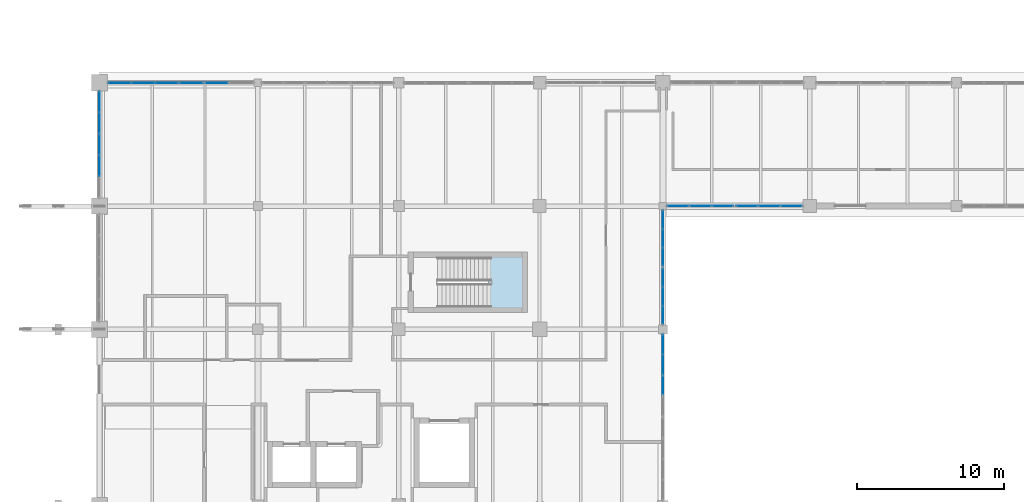
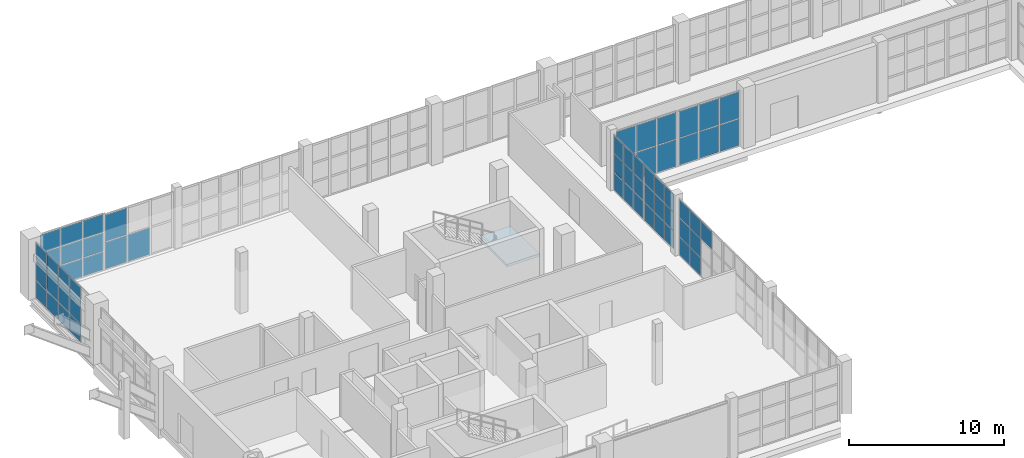
# One storey, part 74 of 121: 61 plates, 1 slab, 9 elements without a shape of their own.
"""IFC4 building model written with IfcOpenShell, lengths in metres."""

from ifc_helpers import new_model, si_unit, direction, frame, origin, origin_2d, place, context, subcontext, project, spatial, polyline, rectangle, outline, extrude, material, layer, layer_set, type_object, element, aggregate, save


model = new_model("IFC4")

# Units and contexts
model_context = context("Model", 3, precision=1e-05, world=origin(), true_north=direction((0.0, 1.0)))
body_context = subcontext(model_context, "Body", "Model", "MODEL_VIEW")
ifc_project = project(units=[si_unit("LENGTHUNIT", "METRE"), si_unit("AREAUNIT", "SQUARE_METRE"), si_unit("VOLUMEUNIT", "CUBIC_METRE"), si_unit("PLANEANGLEUNIT", "RADIAN"), si_unit("MASSUNIT", "GRAM", prefix="KILO")], contexts=[model_context])

# Site, building, storey
site_placement = place(None, origin())
site = spatial("IfcSite", under=ifc_project, at=site_placement, CompositionType="ELEMENT")
building_placement = place(site_placement, origin())
building = spatial("IfcBuilding", under=site, at=building_placement, Name="Zereglee Splitstone Museum", CompositionType="ELEMENT")
storey_placement = place(building_placement, origin())
storey = spatial("IfcBuildingStorey", under=building, at=storey_placement, Name="L00", CompositionType="ELEMENT", Elevation=0.0)

# Curtain wall, plates
ifc_material_1 = material(Name="Triple-glazed low-E argon glass and bronze-anodised aluminium", Category="aluminium")
ifc_layer_1 = layer(ifc_material_1, 0.179931640625)
ifc_layer_set_1 = layer_set([ifc_layer_1], Name="Triple-glazed low-E argon glass and bronze-anodised aluminium")
curtain_wall_type_1 = type_object("IfcCurtainWallType", Name="CW-0514-438", PredefinedType="USERDEFINED", material=ifc_layer_set_1)
curtain_wall_1_placement = place(storey_placement, origin())
curtain_wall_1 = element("IfcCurtainWall", 1, at=curtain_wall_1_placement, inside=storey, type_object=curtain_wall_type_1, Name="Glazed Curtain Wall CW-0514-438 (L00)", ObjectType="GLAZED CURTAIN WALL", PredefinedType="USERDEFINED")
ifc_material_2 = material(Name="Triple low-e argon insulated safety glass", Category="glass")
ifc_layer_2 = layer(ifc_material_2, 0.035888671875)
ifc_layer_set_2 = layer_set([ifc_layer_2], Name="Triple low-e argon insulated safety glass")
plate_type = type_object("IfcPlateType", Name="CWP-01", PredefinedType="CURTAIN_PANEL", material=ifc_layer_set_2)
plate_1_placement = place(storey_placement, frame((17.571044921875, 38.39990234375, 0.06494140625), z_axis=(0.0, 0.0, 1.0), x_axis=(-1.0, 0.0, 0.0)))
plate_1 = element("IfcPlate", 2, at=plate_1_placement, type_object=plate_type, Name="CW-0514-438 panel 2.1", PredefinedType="CURTAIN_PANEL", context=body_context, shape_type="SweptSolid", body=[
    extrude(rectangle(XDim=1.64892578125, YDim=0.035888671875, at=origin_2d()), origin(), (0.0, 0.0, 1.0), 2.092529296875),
])
plate_2_placement = place(storey_placement, frame((15.873291015625, 38.39990234375, 0.06494140625), z_axis=(0.0, 0.0, 1.0), x_axis=(-1.0, 0.0, 0.0)))
plate_2 = element("IfcPlate", 3, at=plate_2_placement, type_object=plate_type, Name="CW-0514-438 panel 3.1", PredefinedType="CURTAIN_PANEL", context=body_context, shape_type="SweptSolid", body=[
    extrude(rectangle(XDim=1.616455078125, YDim=0.035888671875, at=origin_2d()), origin(), (0.0, 0.0, 1.0), 2.092529296875),
])
plate_3_placement = place(storey_placement, frame((15.873291015625, 38.39990234375, 2.22265625), z_axis=(0.0, 0.0, 1.0), x_axis=(-1.0, 0.0, 0.0)))
plate_3 = element("IfcPlate", 4, at=plate_3_placement, type_object=plate_type, Name="CW-0514-438 panel 3.2", PredefinedType="CURTAIN_PANEL", context=body_context, shape_type="SweptSolid", body=[
    extrude(rectangle(XDim=1.616455078125, YDim=0.035888671875, at=origin_2d()), origin(), (0.0, 0.0, 1.0), 2.092529296875),
])
aggregate(curtain_wall_1, [plate_1, plate_2, plate_3])

ifc_layer_3 = layer(ifc_material_1, 0.179931640625)
ifc_layer_set_3 = layer_set([ifc_layer_3], Name="Triple-glazed low-E argon glass and bronze-anodised aluminium")
curtain_wall_type_2 = type_object("IfcCurtainWallType", Name="CW-0484-450", PredefinedType="USERDEFINED", material=ifc_layer_set_3)
curtain_wall_2_placement = place(storey_placement, origin())
curtain_wall_2 = element("IfcCurtainWall", 5, at=curtain_wall_2_placement, inside=storey, type_object=curtain_wall_type_2, Name="Glazed Curtain Wall CW-0484-450 (L00)", ObjectType="GLAZED CURTAIN WALL", PredefinedType="USERDEFINED")
plate_4_placement = place(storey_placement, frame((14.1767578125, 38.39990234375, 0.06494140625), z_axis=(0.0, 0.0, 1.0), x_axis=(-1.0, 0.0, 0.0)))
plate_4 = element("IfcPlate", 6, at=plate_4_placement, type_object=plate_type, Name="CW-0484-450 panel 1.1", PredefinedType="CURTAIN_PANEL", context=body_context, shape_type="SweptSolid", body=[
    extrude(rectangle(XDim=1.5166015625, YDim=0.035888671875, at=origin_2d()), origin(), (0.0, 0.0, 1.0), 1.402587890625),
])
plate_5_placement = place(storey_placement, frame((14.1767578125, 38.39990234375, 1.532470703125), z_axis=(0.0, 0.0, 1.0), x_axis=(-1.0, 0.0, 0.0)))
plate_5 = element("IfcPlate", 7, at=plate_5_placement, type_object=plate_type, Name="CW-0484-450 panel 1.2", PredefinedType="CURTAIN_PANEL", context=body_context, shape_type="SweptSolid", body=[
    extrude(rectangle(XDim=1.5166015625, YDim=0.035888671875, at=origin_2d()), origin(), (0.0, 0.0, 1.0), 1.43505859375),
])
plate_6_placement = place(storey_placement, frame((14.1767578125, 38.39990234375, 3.0322265625), z_axis=(0.0, 0.0, 1.0), x_axis=(-1.0, 0.0, 0.0)))
plate_6 = element("IfcPlate", 8, at=plate_6_placement, type_object=plate_type, Name="CW-0484-450 panel 1.3", PredefinedType="CURTAIN_PANEL", context=body_context, shape_type="SweptSolid", body=[
    extrude(rectangle(XDim=1.5166015625, YDim=0.035888671875, at=origin_2d()), origin(), (0.0, 0.0, 1.0), 1.402587890625),
])
plate_7_placement = place(storey_placement, frame((12.5791015625, 38.39990234375, 0.06494140625), z_axis=(0.0, 0.0, 1.0), x_axis=(-1.0, 0.0, 0.0)))
plate_7 = element("IfcPlate", 9, at=plate_7_placement, type_object=plate_type, Name="CW-0484-450 panel 2.1", PredefinedType="CURTAIN_PANEL", context=body_context, shape_type="SweptSolid", body=[
    extrude(rectangle(XDim=1.549072265625, YDim=0.035888671875, at=origin_2d()), origin(), (0.0, 0.0, 1.0), 1.402587890625),
])
plate_8_placement = place(storey_placement, frame((12.5791015625, 38.39990234375, 1.532470703125), z_axis=(0.0, 0.0, 1.0), x_axis=(-1.0, 0.0, 0.0)))
plate_8 = element("IfcPlate", 10, at=plate_8_placement, type_object=plate_type, Name="CW-0484-450 panel 2.2", PredefinedType="CURTAIN_PANEL", context=body_context, shape_type="SweptSolid", body=[
    extrude(rectangle(XDim=1.549072265625, YDim=0.035888671875, at=origin_2d()), origin(), (0.0, 0.0, 1.0), 1.43505859375),
])
plate_9_placement = place(storey_placement, frame((12.5791015625, 38.39990234375, 3.0322265625), z_axis=(0.0, 0.0, 1.0), x_axis=(-1.0, 0.0, 0.0)))
plate_9 = element("IfcPlate", 11, at=plate_9_placement, type_object=plate_type, Name="CW-0484-450 panel 2.3", PredefinedType="CURTAIN_PANEL", context=body_context, shape_type="SweptSolid", body=[
    extrude(rectangle(XDim=1.549072265625, YDim=0.035888671875, at=origin_2d()), origin(), (0.0, 0.0, 1.0), 1.402587890625),
])
plate_10_placement = place(storey_placement, frame((10.981201171875, 38.39990234375, 0.06494140625), z_axis=(0.0, 0.0, 1.0), x_axis=(-1.0, 0.0, 0.0)))
plate_10 = element("IfcPlate", 12, at=plate_10_placement, type_object=plate_type, Name="CW-0484-450 panel 3.1", PredefinedType="CURTAIN_PANEL", context=body_context, shape_type="SweptSolid", body=[
    extrude(rectangle(XDim=1.5166015625, YDim=0.035888671875, at=origin_2d()), origin(), (0.0, 0.0, 1.0), 1.402587890625),
])
plate_11_placement = place(storey_placement, frame((10.981201171875, 38.39990234375, 1.532470703125), z_axis=(0.0, 0.0, 1.0), x_axis=(-1.0, 0.0, 0.0)))
plate_11 = element("IfcPlate", 13, at=plate_11_placement, type_object=plate_type, Name="CW-0484-450 panel 3.2", PredefinedType="CURTAIN_PANEL", context=body_context, shape_type="SweptSolid", body=[
    extrude(rectangle(XDim=1.5166015625, YDim=0.035888671875, at=origin_2d()), origin(), (0.0, 0.0, 1.0), 1.43505859375),
])
plate_12_placement = place(storey_placement, frame((10.981201171875, 38.39990234375, 3.0322265625), z_axis=(0.0, 0.0, 1.0), x_axis=(-1.0, 0.0, 0.0)))
plate_12 = element("IfcPlate", 14, at=plate_12_placement, type_object=plate_type, Name="CW-0484-450 panel 3.3", PredefinedType="CURTAIN_PANEL", context=body_context, shape_type="SweptSolid", body=[
    extrude(rectangle(XDim=1.5166015625, YDim=0.035888671875, at=origin_2d()), origin(), (0.0, 0.0, 1.0), 1.402587890625),
])
aggregate(curtain_wall_2, [plate_4, plate_5, plate_6, plate_7, plate_8, plate_9, plate_10, plate_11, plate_12])

ifc_layer_4 = layer(ifc_material_1, 0.179931640625)
ifc_layer_set_4 = layer_set([ifc_layer_4], Name="Triple-glazed low-E argon glass and bronze-anodised aluminium")
curtain_wall_type_3 = type_object("IfcCurtainWallType", Name="CW-0728-444", PredefinedType="USERDEFINED", material=ifc_layer_set_4)
curtain_wall_3_placement = place(storey_placement, origin())
curtain_wall_3 = element("IfcCurtainWall", 15, at=curtain_wall_3_placement, inside=storey, type_object=curtain_wall_type_3, Name="Glazed Curtain Wall CW-0728-444 (L00)", ObjectType="GLAZED CURTAIN WALL", PredefinedType="USERDEFINED")
plate_13_placement = place(storey_placement, frame((9.60009765625, 37.097412109375, 0.06494140625), z_axis=(0.0, 0.0, 1.0), x_axis=(0.0, -1.0, 0.0)))
plate_13 = element("IfcPlate", 16, at=plate_13_placement, type_object=plate_type, Name="CW-0728-444 panel 1.1", PredefinedType="CURTAIN_PANEL", context=body_context, shape_type="SweptSolid", body=[
    extrude(rectangle(XDim=1.359375, YDim=0.035888671875, at=origin_2d()), origin(), (0.0, 0.0, 1.0), 1.382568359375),
])
plate_14_placement = place(storey_placement, frame((9.60009765625, 37.097412109375, 1.512451171875), z_axis=(0.0, 0.0, 1.0), x_axis=(0.0, -1.0, 0.0)))
plate_14 = element("IfcPlate", 17, at=plate_14_placement, type_object=plate_type, Name="CW-0728-444 panel 1.2", PredefinedType="CURTAIN_PANEL", context=body_context, shape_type="SweptSolid", body=[
    extrude(rectangle(XDim=1.359375, YDim=0.035888671875, at=origin_2d()), origin(), (0.0, 0.0, 1.0), 1.4150390625),
])
plate_15_placement = place(storey_placement, frame((9.60009765625, 37.097412109375, 2.99267578125), z_axis=(0.0, 0.0, 1.0), x_axis=(0.0, -1.0, 0.0)))
plate_15 = element("IfcPlate", 18, at=plate_15_placement, type_object=plate_type, Name="CW-0728-444 panel 1.3", PredefinedType="CURTAIN_PANEL", context=body_context, shape_type="SweptSolid", body=[
    extrude(rectangle(XDim=1.359375, YDim=0.035888671875, at=origin_2d()), origin(), (0.0, 0.0, 1.0), 1.382568359375),
])
plate_16_placement = place(storey_placement, frame((9.60009765625, 35.65673828125, 0.06494140625), z_axis=(0.0, 0.0, 1.0), x_axis=(0.0, -1.0, 0.0)))
plate_16 = element("IfcPlate", 19, at=plate_16_placement, type_object=plate_type, Name="CW-0728-444 panel 2.1", PredefinedType="CURTAIN_PANEL", context=body_context, shape_type="SweptSolid", body=[
    extrude(rectangle(XDim=1.391845703125, YDim=0.035888671875, at=origin_2d()), origin(), (0.0, 0.0, 1.0), 1.382568359375),
])
plate_17_placement = place(storey_placement, frame((9.60009765625, 35.65673828125, 1.512451171875), z_axis=(0.0, 0.0, 1.0), x_axis=(0.0, -1.0, 0.0)))
plate_17 = element("IfcPlate", 20, at=plate_17_placement, type_object=plate_type, Name="CW-0728-444 panel 2.2", PredefinedType="CURTAIN_PANEL", context=body_context, shape_type="SweptSolid", body=[
    extrude(rectangle(XDim=1.391845703125, YDim=0.035888671875, at=origin_2d()), origin(), (0.0, 0.0, 1.0), 1.4150390625),
])
plate_18_placement = place(storey_placement, frame((9.60009765625, 35.65673828125, 2.99267578125), z_axis=(0.0, 0.0, 1.0), x_axis=(0.0, -1.0, 0.0)))
plate_18 = element("IfcPlate", 21, at=plate_18_placement, type_object=plate_type, Name="CW-0728-444 panel 2.3", PredefinedType="CURTAIN_PANEL", context=body_context, shape_type="SweptSolid", body=[
    extrude(rectangle(XDim=1.391845703125, YDim=0.035888671875, at=origin_2d()), origin(), (0.0, 0.0, 1.0), 1.382568359375),
])
plate_19_placement = place(storey_placement, frame((9.60009765625, 34.199951171875, 0.06494140625), z_axis=(0.0, 0.0, 1.0), x_axis=(0.0, -1.0, 0.0)))
plate_19 = element("IfcPlate", 22, at=plate_19_placement, type_object=plate_type, Name="CW-0728-444 panel 3.1", PredefinedType="CURTAIN_PANEL", context=body_context, shape_type="SweptSolid", body=[
    extrude(rectangle(XDim=1.391845703125, YDim=0.035888671875, at=origin_2d()), origin(), (0.0, 0.0, 1.0), 1.382568359375),
])
plate_20_placement = place(storey_placement, frame((9.60009765625, 34.199951171875, 1.512451171875), z_axis=(0.0, 0.0, 1.0), x_axis=(0.0, -1.0, 0.0)))
plate_20 = element("IfcPlate", 23, at=plate_20_placement, type_object=plate_type, Name="CW-0728-444 panel 3.2", PredefinedType="CURTAIN_PANEL", context=body_context, shape_type="SweptSolid", body=[
    extrude(rectangle(XDim=1.391845703125, YDim=0.035888671875, at=origin_2d()), origin(), (0.0, 0.0, 1.0), 1.4150390625),
])
plate_21_placement = place(storey_placement, frame((9.60009765625, 34.199951171875, 2.99267578125), z_axis=(0.0, 0.0, 1.0), x_axis=(0.0, -1.0, 0.0)))
plate_21 = element("IfcPlate", 24, at=plate_21_placement, type_object=plate_type, Name="CW-0728-444 panel 3.3", PredefinedType="CURTAIN_PANEL", context=body_context, shape_type="SweptSolid", body=[
    extrude(rectangle(XDim=1.391845703125, YDim=0.035888671875, at=origin_2d()), origin(), (0.0, 0.0, 1.0), 1.382568359375),
])
plate_22_placement = place(storey_placement, frame((9.60009765625, 32.7431640625, 0.06494140625), z_axis=(0.0, 0.0, 1.0), x_axis=(0.0, -1.0, 0.0)))
plate_22 = element("IfcPlate", 25, at=plate_22_placement, type_object=plate_type, Name="CW-0728-444 panel 4.1", PredefinedType="CURTAIN_PANEL", context=body_context, shape_type="SweptSolid", body=[
    extrude(rectangle(XDim=1.391845703125, YDim=0.035888671875, at=origin_2d()), origin(), (0.0, 0.0, 1.0), 1.382568359375),
])
plate_23_placement = place(storey_placement, frame((9.60009765625, 32.7431640625, 1.512451171875), z_axis=(0.0, 0.0, 1.0), x_axis=(0.0, -1.0, 0.0)))
plate_23 = element("IfcPlate", 26, at=plate_23_placement, type_object=plate_type, Name="CW-0728-444 panel 4.2", PredefinedType="CURTAIN_PANEL", context=body_context, shape_type="SweptSolid", body=[
    extrude(rectangle(XDim=1.391845703125, YDim=0.035888671875, at=origin_2d()), origin(), (0.0, 0.0, 1.0), 1.4150390625),
])
plate_24_placement = place(storey_placement, frame((9.60009765625, 32.7431640625, 2.99267578125), z_axis=(0.0, 0.0, 1.0), x_axis=(0.0, -1.0, 0.0)))
plate_24 = element("IfcPlate", 27, at=plate_24_placement, type_object=plate_type, Name="CW-0728-444 panel 4.3", PredefinedType="CURTAIN_PANEL", context=body_context, shape_type="SweptSolid", body=[
    extrude(rectangle(XDim=1.391845703125, YDim=0.035888671875, at=origin_2d()), origin(), (0.0, 0.0, 1.0), 1.382568359375),
])
aggregate(curtain_wall_3, [plate_13, plate_14, plate_15, plate_16, plate_17, plate_18, plate_19, plate_20, plate_21, plate_22, plate_23, plate_24])

ifc_layer_5 = layer(ifc_material_1, 0.179931640625)
ifc_layer_set_5 = layer_set([ifc_layer_5], Name="Triple-glazed low-E argon glass and bronze-anodised aluminium")
curtain_wall_type_4 = type_object("IfcCurtainWallType", Name="CW-0563-448", PredefinedType="USERDEFINED", material=ifc_layer_set_5)
curtain_wall_4_placement = place(storey_placement, origin())
curtain_wall_4 = element("IfcCurtainWall", 28, at=curtain_wall_4_placement, inside=storey, type_object=curtain_wall_type_4, Name="Glazed Curtain Wall CW-0563-448 (L00)", ObjectType="GLAZED CURTAIN WALL", PredefinedType="USERDEFINED")
plate_25_placement = place(storey_placement, frame((48.0, 17.775146484375, 3.01904296875), z_axis=(0.0, 0.0, 1.0), x_axis=(0.0, 1.0, 0.0)))
plate_25 = element("IfcPlate", 29, at=plate_25_placement, type_object=plate_type, Name="CW-0563-448 panel 2.3", PredefinedType="CURTAIN_PANEL", context=body_context, shape_type="SweptSolid", body=[
    extrude(rectangle(XDim=1.341796875, YDim=0.035888671875, at=origin_2d()), origin(), (0.0, 0.0, 1.0), 1.395751953125),
])
plate_26_placement = place(storey_placement, frame((48.0, 19.181884765625, 0.06494140625), z_axis=(0.0, 0.0, 1.0), x_axis=(0.0, 1.0, 0.0)))
plate_26 = element("IfcPlate", 30, at=plate_26_placement, type_object=plate_type, Name="CW-0563-448 panel 3.1", PredefinedType="CURTAIN_PANEL", context=body_context, shape_type="SweptSolid", body=[
    extrude(rectangle(XDim=1.341796875, YDim=0.035888671875, at=origin_2d()), origin(), (0.0, 0.0, 1.0), 1.395751953125),
])
plate_27_placement = place(storey_placement, frame((48.0, 19.181884765625, 1.52587890625), z_axis=(0.0, 0.0, 1.0), x_axis=(0.0, 1.0, 0.0)))
plate_27 = element("IfcPlate", 31, at=plate_27_placement, type_object=plate_type, Name="CW-0563-448 panel 3.2", PredefinedType="CURTAIN_PANEL", context=body_context, shape_type="SweptSolid", body=[
    extrude(rectangle(XDim=1.341796875, YDim=0.035888671875, at=origin_2d()), origin(), (0.0, 0.0, 1.0), 1.428466796875),
])
plate_28_placement = place(storey_placement, frame((48.0, 19.181884765625, 3.01904296875), z_axis=(0.0, 0.0, 1.0), x_axis=(0.0, 1.0, 0.0)))
plate_28 = element("IfcPlate", 32, at=plate_28_placement, type_object=plate_type, Name="CW-0563-448 panel 3.3", PredefinedType="CURTAIN_PANEL", context=body_context, shape_type="SweptSolid", body=[
    extrude(rectangle(XDim=1.341796875, YDim=0.035888671875, at=origin_2d()), origin(), (0.0, 0.0, 1.0), 1.395751953125),
])
plate_29_placement = place(storey_placement, frame((48.0, 20.572265625, 0.06494140625), z_axis=(0.0, 0.0, 1.0), x_axis=(0.0, 1.0, 0.0)))
plate_29 = element("IfcPlate", 33, at=plate_29_placement, type_object=plate_type, Name="CW-0563-448 panel 4.1", PredefinedType="CURTAIN_PANEL", context=body_context, shape_type="SweptSolid", body=[
    extrude(rectangle(XDim=1.309326171875, YDim=0.035888671875, at=origin_2d()), origin(), (0.0, 0.0, 1.0), 1.395751953125),
])
plate_30_placement = place(storey_placement, frame((48.0, 20.572265625, 1.52587890625), z_axis=(0.0, 0.0, 1.0), x_axis=(0.0, 1.0, 0.0)))
plate_30 = element("IfcPlate", 34, at=plate_30_placement, type_object=plate_type, Name="CW-0563-448 panel 4.2", PredefinedType="CURTAIN_PANEL", context=body_context, shape_type="SweptSolid", body=[
    extrude(rectangle(XDim=1.309326171875, YDim=0.035888671875, at=origin_2d()), origin(), (0.0, 0.0, 1.0), 1.428466796875),
])
plate_31_placement = place(storey_placement, frame((48.0, 20.572265625, 3.01904296875), z_axis=(0.0, 0.0, 1.0), x_axis=(0.0, 1.0, 0.0)))
plate_31 = element("IfcPlate", 35, at=plate_31_placement, type_object=plate_type, Name="CW-0563-448 panel 4.3", PredefinedType="CURTAIN_PANEL", context=body_context, shape_type="SweptSolid", body=[
    extrude(rectangle(XDim=1.309326171875, YDim=0.035888671875, at=origin_2d()), origin(), (0.0, 0.0, 1.0), 1.395751953125),
])
aggregate(curtain_wall_4, [plate_25, plate_26, plate_27, plate_28, plate_29, plate_30, plate_31])

ifc_layer_6 = layer(ifc_material_1, 0.179931640625)
ifc_layer_set_6 = layer_set([ifc_layer_6], Name="Triple-glazed low-E argon glass and bronze-anodised aluminium")
curtain_wall_type_5 = type_object("IfcCurtainWallType", Name="CW-0388-444", PredefinedType="USERDEFINED", material=ifc_layer_set_6)
curtain_wall_5_placement = place(storey_placement, origin())
curtain_wall_5 = element("IfcCurtainWall", 36, at=curtain_wall_5_placement, inside=storey, type_object=curtain_wall_type_5, Name="Glazed Curtain Wall CW-0388-444 (L00)", ObjectType="GLAZED CURTAIN WALL", PredefinedType="USERDEFINED")
plate_32_placement = place(storey_placement, frame((48.0, 22.5703125, 0.06494140625), z_axis=(0.0, 0.0, 1.0), x_axis=(0.0, 1.0, 0.0)))
plate_32 = element("IfcPlate", 37, at=plate_32_placement, type_object=plate_type, Name="CW-0388-444 panel 1.1", PredefinedType="CURTAIN_PANEL", context=body_context, shape_type="SweptSolid", body=[
    extrude(rectangle(XDim=1.19482421875, YDim=0.035888671875, at=origin_2d()), origin(), (0.0, 0.0, 1.0), 1.382568359375),
])
plate_33_placement = place(storey_placement, frame((48.0, 22.5703125, 1.512451171875), z_axis=(0.0, 0.0, 1.0), x_axis=(0.0, 1.0, 0.0)))
plate_33 = element("IfcPlate", 38, at=plate_33_placement, type_object=plate_type, Name="CW-0388-444 panel 1.2", PredefinedType="CURTAIN_PANEL", context=body_context, shape_type="SweptSolid", body=[
    extrude(rectangle(XDim=1.19482421875, YDim=0.035888671875, at=origin_2d()), origin(), (0.0, 0.0, 1.0), 1.4150390625),
])
plate_34_placement = place(storey_placement, frame((48.0, 22.5703125, 2.99267578125), z_axis=(0.0, 0.0, 1.0), x_axis=(0.0, 1.0, 0.0)))
plate_34 = element("IfcPlate", 39, at=plate_34_placement, type_object=plate_type, Name="CW-0388-444 panel 1.3", PredefinedType="CURTAIN_PANEL", context=body_context, shape_type="SweptSolid", body=[
    extrude(rectangle(XDim=1.19482421875, YDim=0.035888671875, at=origin_2d()), origin(), (0.0, 0.0, 1.0), 1.382568359375),
])
plate_35_placement = place(storey_placement, frame((48.0, 23.846435546875, 0.06494140625), z_axis=(0.0, 0.0, 1.0), x_axis=(0.0, 1.0, 0.0)))
plate_35 = element("IfcPlate", 40, at=plate_35_placement, type_object=plate_type, Name="CW-0388-444 panel 2.1", PredefinedType="CURTAIN_PANEL", context=body_context, shape_type="SweptSolid", body=[
    extrude(rectangle(XDim=1.227294921875, YDim=0.035888671875, at=origin_2d()), origin(), (0.0, 0.0, 1.0), 1.382568359375),
])
plate_36_placement = place(storey_placement, frame((48.0, 23.846435546875, 1.512451171875), z_axis=(0.0, 0.0, 1.0), x_axis=(0.0, 1.0, 0.0)))
plate_36 = element("IfcPlate", 41, at=plate_36_placement, type_object=plate_type, Name="CW-0388-444 panel 2.2", PredefinedType="CURTAIN_PANEL", context=body_context, shape_type="SweptSolid", body=[
    extrude(rectangle(XDim=1.227294921875, YDim=0.035888671875, at=origin_2d()), origin(), (0.0, 0.0, 1.0), 1.4150390625),
])
plate_37_placement = place(storey_placement, frame((48.0, 23.846435546875, 2.99267578125), z_axis=(0.0, 0.0, 1.0), x_axis=(0.0, 1.0, 0.0)))
plate_37 = element("IfcPlate", 42, at=plate_37_placement, type_object=plate_type, Name="CW-0388-444 panel 2.3", PredefinedType="CURTAIN_PANEL", context=body_context, shape_type="SweptSolid", body=[
    extrude(rectangle(XDim=1.227294921875, YDim=0.035888671875, at=origin_2d()), origin(), (0.0, 0.0, 1.0), 1.382568359375),
])
plate_38_placement = place(storey_placement, frame((48.0, 25.12255859375, 0.06494140625), z_axis=(0.0, 0.0, 1.0), x_axis=(0.0, 1.0, 0.0)))
plate_38 = element("IfcPlate", 43, at=plate_38_placement, type_object=plate_type, Name="CW-0388-444 panel 3.1", PredefinedType="CURTAIN_PANEL", context=body_context, shape_type="SweptSolid", body=[
    extrude(rectangle(XDim=1.19482421875, YDim=0.035888671875, at=origin_2d()), origin(), (0.0, 0.0, 1.0), 1.382568359375),
])
plate_39_placement = place(storey_placement, frame((48.0, 25.12255859375, 1.512451171875), z_axis=(0.0, 0.0, 1.0), x_axis=(0.0, 1.0, 0.0)))
plate_39 = element("IfcPlate", 44, at=plate_39_placement, type_object=plate_type, Name="CW-0388-444 panel 3.2", PredefinedType="CURTAIN_PANEL", context=body_context, shape_type="SweptSolid", body=[
    extrude(rectangle(XDim=1.19482421875, YDim=0.035888671875, at=origin_2d()), origin(), (0.0, 0.0, 1.0), 1.4150390625),
])
plate_40_placement = place(storey_placement, frame((48.0, 25.12255859375, 2.99267578125), z_axis=(0.0, 0.0, 1.0), x_axis=(0.0, 1.0, 0.0)))
plate_40 = element("IfcPlate", 45, at=plate_40_placement, type_object=plate_type, Name="CW-0388-444 panel 3.3", PredefinedType="CURTAIN_PANEL", context=body_context, shape_type="SweptSolid", body=[
    extrude(rectangle(XDim=1.19482421875, YDim=0.035888671875, at=origin_2d()), origin(), (0.0, 0.0, 1.0), 1.382568359375),
])
aggregate(curtain_wall_5, [plate_32, plate_33, plate_34, plate_35, plate_36, plate_37, plate_38, plate_39, plate_40])

ifc_layer_7 = layer(ifc_material_1, 0.179931640625)
ifc_layer_set_7 = layer_set([ifc_layer_7], Name="Triple-glazed low-E argon glass and bronze-anodised aluminium")
curtain_wall_type_6 = type_object("IfcCurtainWallType", Name="CW-0388-442", PredefinedType="USERDEFINED", material=ifc_layer_set_7)
curtain_wall_6_placement = place(storey_placement, origin())
curtain_wall_6 = element("IfcCurtainWall", 46, at=curtain_wall_6_placement, inside=storey, type_object=curtain_wall_type_6, Name="Glazed Curtain Wall CW-0388-442 (L00)", ObjectType="GLAZED CURTAIN WALL", PredefinedType="USERDEFINED")
plate_41_placement = place(storey_placement, frame((48.0, 26.52734375, 0.06494140625), z_axis=(0.0, 0.0, 1.0), x_axis=(0.0, 1.0, 0.0)))
plate_41 = element("IfcPlate", 47, at=plate_41_placement, type_object=plate_type, Name="CW-0388-442 panel 1.1", PredefinedType="CURTAIN_PANEL", context=body_context, shape_type="SweptSolid", body=[
    extrude(rectangle(XDim=1.19482421875, YDim=0.035888671875, at=origin_2d()), origin(), (0.0, 0.0, 1.0), 1.375732421875),
])
plate_42_placement = place(storey_placement, frame((48.0, 26.52734375, 1.505859375), z_axis=(0.0, 0.0, 1.0), x_axis=(0.0, 1.0, 0.0)))
plate_42 = element("IfcPlate", 48, at=plate_42_placement, type_object=plate_type, Name="CW-0388-442 panel 1.2", PredefinedType="CURTAIN_PANEL", context=body_context, shape_type="SweptSolid", body=[
    extrude(rectangle(XDim=1.19482421875, YDim=0.035888671875, at=origin_2d()), origin(), (0.0, 0.0, 1.0), 1.408447265625),
])
plate_43_placement = place(storey_placement, frame((48.0, 26.52734375, 2.97900390625), z_axis=(0.0, 0.0, 1.0), x_axis=(0.0, 1.0, 0.0)))
plate_43 = element("IfcPlate", 49, at=plate_43_placement, type_object=plate_type, Name="CW-0388-442 panel 1.3", PredefinedType="CURTAIN_PANEL", context=body_context, shape_type="SweptSolid", body=[
    extrude(rectangle(XDim=1.19482421875, YDim=0.035888671875, at=origin_2d()), origin(), (0.0, 0.0, 1.0), 1.375732421875),
])
plate_44_placement = place(storey_placement, frame((48.0, 27.803466796875, 0.06494140625), z_axis=(0.0, 0.0, 1.0), x_axis=(0.0, 1.0, 0.0)))
plate_44 = element("IfcPlate", 50, at=plate_44_placement, type_object=plate_type, Name="CW-0388-442 panel 2.1", PredefinedType="CURTAIN_PANEL", context=body_context, shape_type="SweptSolid", body=[
    extrude(rectangle(XDim=1.227294921875, YDim=0.035888671875, at=origin_2d()), origin(), (0.0, 0.0, 1.0), 1.375732421875),
])
plate_45_placement = place(storey_placement, frame((48.0, 27.803466796875, 1.505859375), z_axis=(0.0, 0.0, 1.0), x_axis=(0.0, 1.0, 0.0)))
plate_45 = element("IfcPlate", 51, at=plate_45_placement, type_object=plate_type, Name="CW-0388-442 panel 2.2", PredefinedType="CURTAIN_PANEL", context=body_context, shape_type="SweptSolid", body=[
    extrude(rectangle(XDim=1.227294921875, YDim=0.035888671875, at=origin_2d()), origin(), (0.0, 0.0, 1.0), 1.408447265625),
])
plate_46_placement = place(storey_placement, frame((48.0, 27.803466796875, 2.97900390625), z_axis=(0.0, 0.0, 1.0), x_axis=(0.0, 1.0, 0.0)))
plate_46 = element("IfcPlate", 52, at=plate_46_placement, type_object=plate_type, Name="CW-0388-442 panel 2.3", PredefinedType="CURTAIN_PANEL", context=body_context, shape_type="SweptSolid", body=[
    extrude(rectangle(XDim=1.227294921875, YDim=0.035888671875, at=origin_2d()), origin(), (0.0, 0.0, 1.0), 1.375732421875),
])
plate_47_placement = place(storey_placement, frame((48.0, 29.07958984375, 0.06494140625), z_axis=(0.0, 0.0, 1.0), x_axis=(0.0, 1.0, 0.0)))
plate_47 = element("IfcPlate", 53, at=plate_47_placement, type_object=plate_type, Name="CW-0388-442 panel 3.1", PredefinedType="CURTAIN_PANEL", context=body_context, shape_type="SweptSolid", body=[
    extrude(rectangle(XDim=1.19482421875, YDim=0.035888671875, at=origin_2d()), origin(), (0.0, 0.0, 1.0), 1.375732421875),
])
plate_48_placement = place(storey_placement, frame((48.0, 29.07958984375, 1.505859375), z_axis=(0.0, 0.0, 1.0), x_axis=(0.0, 1.0, 0.0)))
plate_48 = element("IfcPlate", 54, at=plate_48_placement, type_object=plate_type, Name="CW-0388-442 panel 3.2", PredefinedType="CURTAIN_PANEL", context=body_context, shape_type="SweptSolid", body=[
    extrude(rectangle(XDim=1.19482421875, YDim=0.035888671875, at=origin_2d()), origin(), (0.0, 0.0, 1.0), 1.408447265625),
])
plate_49_placement = place(storey_placement, frame((48.0, 29.07958984375, 2.97900390625), z_axis=(0.0, 0.0, 1.0), x_axis=(0.0, 1.0, 0.0)))
plate_49 = element("IfcPlate", 55, at=plate_49_placement, type_object=plate_type, Name="CW-0388-442 panel 3.3", PredefinedType="CURTAIN_PANEL", context=body_context, shape_type="SweptSolid", body=[
    extrude(rectangle(XDim=1.19482421875, YDim=0.035888671875, at=origin_2d()), origin(), (0.0, 0.0, 1.0), 1.375732421875),
])
aggregate(curtain_wall_6, [plate_41, plate_42, plate_43, plate_44, plate_45, plate_46, plate_47, plate_48, plate_49])

ifc_layer_8 = layer(ifc_material_1, 0.179931640625)
ifc_layer_set_8 = layer_set([ifc_layer_8], Name="Triple-glazed low-E argon glass and bronze-anodised aluminium")
curtain_wall_type_7 = type_object("IfcCurtainWallType", Name="CW-0460-438", PredefinedType="USERDEFINED", material=ifc_layer_set_8)
curtain_wall_7_placement = place(storey_placement, origin())
curtain_wall_7 = element("IfcCurtainWall", 56, at=curtain_wall_7_placement, inside=storey, type_object=curtain_wall_type_7, Name="Glazed Curtain Wall CW-0460-438 (L00)", ObjectType="GLAZED CURTAIN WALL", PredefinedType="USERDEFINED")
plate_50_placement = place(storey_placement, frame((49.041259765625, 30.0, 0.06494140625), z_axis=(0.0, 0.0, 1.0), x_axis=(1.0, 0.0, 0.0)))
plate_50 = element("IfcPlate", 57, at=plate_50_placement, type_object=plate_type, Name="CW-0460-438 panel 1.1", PredefinedType="CURTAIN_PANEL", context=body_context, shape_type="SweptSolid", body=[
    extrude(rectangle(XDim=1.4365234375, YDim=0.035888671875, at=origin_2d()), origin(), (0.0, 0.0, 1.0), 2.092529296875),
])
plate_51_placement = place(storey_placement, frame((49.041259765625, 30.0, 2.22265625), z_axis=(0.0, 0.0, 1.0), x_axis=(1.0, 0.0, 0.0)))
plate_51 = element("IfcPlate", 58, at=plate_51_placement, type_object=plate_type, Name="CW-0460-438 panel 1.2", PredefinedType="CURTAIN_PANEL", context=body_context, shape_type="SweptSolid", body=[
    extrude(rectangle(XDim=1.4365234375, YDim=0.035888671875, at=origin_2d()), origin(), (0.0, 0.0, 1.0), 2.092529296875),
])
plate_52_placement = place(storey_placement, frame((50.55908203125, 30.0, 0.06494140625), z_axis=(0.0, 0.0, 1.0), x_axis=(1.0, 0.0, 0.0)))
plate_52 = element("IfcPlate", 59, at=plate_52_placement, type_object=plate_type, Name="CW-0460-438 panel 2.1", PredefinedType="CURTAIN_PANEL", context=body_context, shape_type="SweptSolid", body=[
    extrude(rectangle(XDim=1.468994140625, YDim=0.035888671875, at=origin_2d()), origin(), (0.0, 0.0, 1.0), 2.092529296875),
])
plate_53_placement = place(storey_placement, frame((50.55908203125, 30.0, 2.22265625), z_axis=(0.0, 0.0, 1.0), x_axis=(1.0, 0.0, 0.0)))
plate_53 = element("IfcPlate", 60, at=plate_53_placement, type_object=plate_type, Name="CW-0460-438 panel 2.2", PredefinedType="CURTAIN_PANEL", context=body_context, shape_type="SweptSolid", body=[
    extrude(rectangle(XDim=1.468994140625, YDim=0.035888671875, at=origin_2d()), origin(), (0.0, 0.0, 1.0), 2.092529296875),
])
plate_54_placement = place(storey_placement, frame((52.07666015625, 30.0, 0.06494140625), z_axis=(0.0, 0.0, 1.0), x_axis=(1.0, 0.0, 0.0)))
plate_54 = element("IfcPlate", 61, at=plate_54_placement, type_object=plate_type, Name="CW-0460-438 panel 3.1", PredefinedType="CURTAIN_PANEL", context=body_context, shape_type="SweptSolid", body=[
    extrude(rectangle(XDim=1.4365234375, YDim=0.035888671875, at=origin_2d()), origin(), (0.0, 0.0, 1.0), 2.092529296875),
])
plate_55_placement = place(storey_placement, frame((52.07666015625, 30.0, 2.22265625), z_axis=(0.0, 0.0, 1.0), x_axis=(1.0, 0.0, 0.0)))
plate_55 = element("IfcPlate", 62, at=plate_55_placement, type_object=plate_type, Name="CW-0460-438 panel 3.2", PredefinedType="CURTAIN_PANEL", context=body_context, shape_type="SweptSolid", body=[
    extrude(rectangle(XDim=1.4365234375, YDim=0.035888671875, at=origin_2d()), origin(), (0.0, 0.0, 1.0), 2.092529296875),
])
aggregate(curtain_wall_7, [plate_50, plate_51, plate_52, plate_53, plate_54, plate_55])

ifc_layer_9 = layer(ifc_material_1, 0.179931640625)
ifc_layer_set_9 = layer_set([ifc_layer_9], Name="Triple-glazed low-E argon glass and bronze-anodised aluminium")
curtain_wall_type_8 = type_object("IfcCurtainWallType", Name="CW-0460-436", PredefinedType="USERDEFINED", material=ifc_layer_set_9)
curtain_wall_8_placement = place(storey_placement, origin())
curtain_wall_8 = element("IfcCurtainWall", 63, at=curtain_wall_8_placement, inside=storey, type_object=curtain_wall_type_8, Name="Glazed Curtain Wall CW-0460-436 (L00)", ObjectType="GLAZED CURTAIN WALL", PredefinedType="USERDEFINED")
plate_56_placement = place(storey_placement, frame((53.72314453125, 30.0, 0.06494140625), z_axis=(0.0, 0.0, 1.0), x_axis=(1.0, 0.0, 0.0)))
plate_56 = element("IfcPlate", 64, at=plate_56_placement, type_object=plate_type, Name="CW-0460-436 panel 1.1", PredefinedType="CURTAIN_PANEL", context=body_context, shape_type="SweptSolid", body=[
    extrude(rectangle(XDim=1.4365234375, YDim=0.035888671875, at=origin_2d()), origin(), (0.0, 0.0, 1.0), 2.08251953125),
])
plate_57_placement = place(storey_placement, frame((53.72314453125, 30.0, 2.21240234375), z_axis=(0.0, 0.0, 1.0), x_axis=(1.0, 0.0, 0.0)))
plate_57 = element("IfcPlate", 65, at=plate_57_placement, type_object=plate_type, Name="CW-0460-436 panel 1.2", PredefinedType="CURTAIN_PANEL", context=body_context, shape_type="SweptSolid", body=[
    extrude(rectangle(XDim=1.4365234375, YDim=0.035888671875, at=origin_2d()), origin(), (0.0, 0.0, 1.0), 2.08251953125),
])
plate_58_placement = place(storey_placement, frame((55.240966796875, 30.0, 0.06494140625), z_axis=(0.0, 0.0, 1.0), x_axis=(1.0, 0.0, 0.0)))
plate_58 = element("IfcPlate", 66, at=plate_58_placement, type_object=plate_type, Name="CW-0460-436 panel 2.1", PredefinedType="CURTAIN_PANEL", context=body_context, shape_type="SweptSolid", body=[
    extrude(rectangle(XDim=1.468994140625, YDim=0.035888671875, at=origin_2d()), origin(), (0.0, 0.0, 1.0), 2.08251953125),
])
plate_59_placement = place(storey_placement, frame((55.240966796875, 30.0, 2.21240234375), z_axis=(0.0, 0.0, 1.0), x_axis=(1.0, 0.0, 0.0)))
plate_59 = element("IfcPlate", 67, at=plate_59_placement, type_object=plate_type, Name="CW-0460-436 panel 2.2", PredefinedType="CURTAIN_PANEL", context=body_context, shape_type="SweptSolid", body=[
    extrude(rectangle(XDim=1.468994140625, YDim=0.035888671875, at=origin_2d()), origin(), (0.0, 0.0, 1.0), 2.08251953125),
])
plate_60_placement = place(storey_placement, frame((56.7587890625, 30.0, 0.06494140625), z_axis=(0.0, 0.0, 1.0), x_axis=(1.0, 0.0, 0.0)))
plate_60 = element("IfcPlate", 68, at=plate_60_placement, type_object=plate_type, Name="CW-0460-436 panel 3.1", PredefinedType="CURTAIN_PANEL", context=body_context, shape_type="SweptSolid", body=[
    extrude(rectangle(XDim=1.4365234375, YDim=0.035888671875, at=origin_2d()), origin(), (0.0, 0.0, 1.0), 2.08251953125),
])
plate_61_placement = place(storey_placement, frame((56.7587890625, 30.0, 2.21240234375), z_axis=(0.0, 0.0, 1.0), x_axis=(1.0, 0.0, 0.0)))
plate_61 = element("IfcPlate", 69, at=plate_61_placement, type_object=plate_type, Name="CW-0460-436 panel 3.2", PredefinedType="CURTAIN_PANEL", context=body_context, shape_type="SweptSolid", body=[
    extrude(rectangle(XDim=1.4365234375, YDim=0.035888671875, at=origin_2d()), origin(), (0.0, 0.0, 1.0), 2.08251953125),
])
aggregate(curtain_wall_8, [plate_56, plate_57, plate_58, plate_59, plate_60, plate_61])

# Stair, slab
ifc_material_3 = material(Name="Concrete C35/45", Category="concrete")
stair_type = type_object("IfcStairType", Name="ST-02A", PredefinedType="HALF_TURN_STAIR", material=ifc_material_3)
stair_placement = place(storey_placement, origin())
stair = element("IfcStair", 70, at=stair_placement, inside=storey, type_object=stair_type, Name="L00 Protected Exit Stair ST-02 A", PredefinedType="HALF_TURN_STAIR")
ifc_layer_10 = layer(ifc_material_3, 0.199951171875)
ifc_layer_set_10 = layer_set([ifc_layer_10], Name="Concrete C35/45")
slab_type = type_object("IfcSlabType", Name="ST-02A", PredefinedType="LANDING", material=ifc_layer_set_10)
slab_placement = place(storey_placement, frame((0.0, 0.0, 2.199951171875)))
slab = element("IfcSlab", 71, at=slab_placement, type_object=slab_type, Name="ST-02A landing 1", PredefinedType="LANDING", context=body_context, shape_type="SweptSolid", body=[
    extrude(outline(polyline([(36.110107421875, 22.9599609375), (38.5400390625, 22.9599609375), (38.5400390625, 26.639892578125), (36.110107421875, 26.639892578125), (36.110107421875, 22.9599609375)])), origin(), (0.0, 0.0, 1.0), 0.199951171875),
])
aggregate(stair, [slab])

save(model, "model.ifc")
